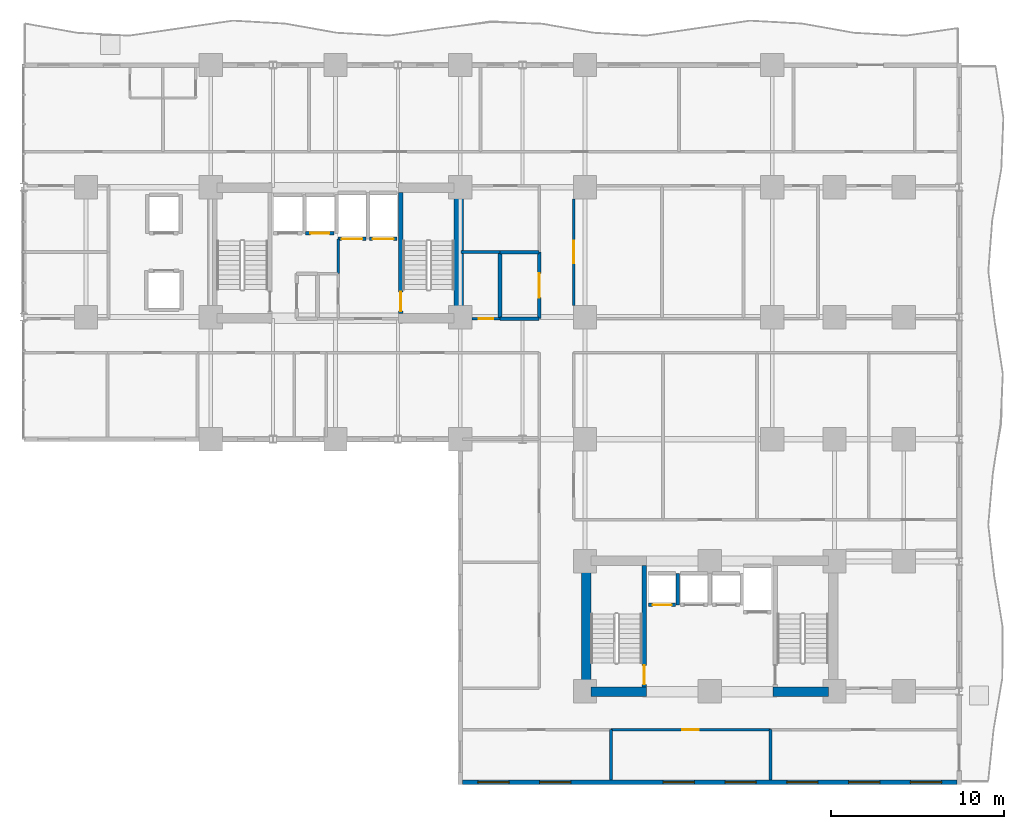
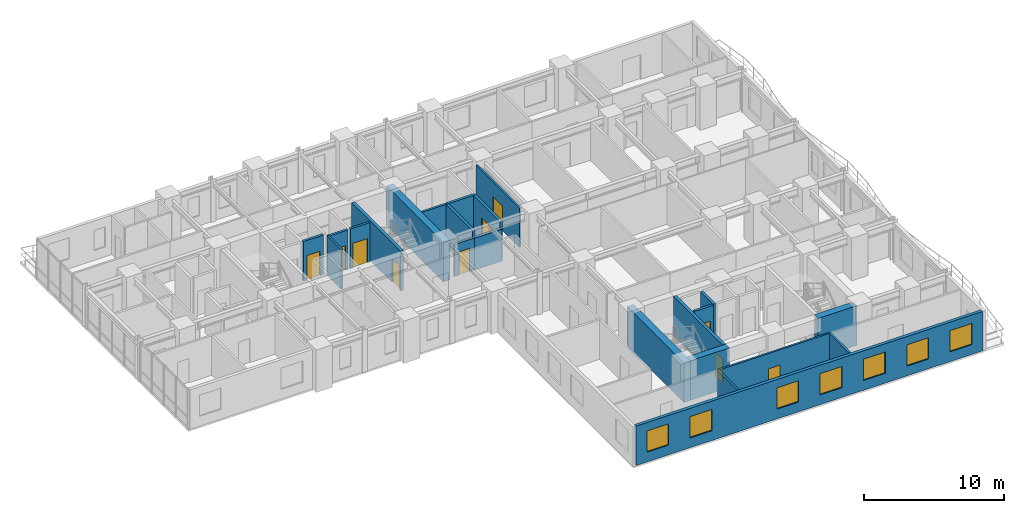
# One storey, part 12 of 19: 23 walls, 10 doors, 7 windows, 17 openings.
"""IFC4 building model written with IfcOpenShell, lengths in metres."""

from ifc_helpers import new_model, si_unit, direction, frame, frame_2d, origin, place, context, subcontext, project, spatial, rectangle, extrude, material, layer, layer_set, type_object, element, fill, save


model = new_model("IFC4")

# Units and contexts
model_context = context("Model", 3, precision=1e-05, world=origin(), true_north=direction((0.0, 1.0)))
body_context = subcontext(model_context, "Body", "Model", "MODEL_VIEW")
ifc_project = project(units=[si_unit("LENGTHUNIT", "METRE"), si_unit("AREAUNIT", "SQUARE_METRE"), si_unit("VOLUMEUNIT", "CUBIC_METRE"), si_unit("PLANEANGLEUNIT", "RADIAN"), si_unit("MASSUNIT", "GRAM", prefix="KILO")], contexts=[model_context])

# Site, building, storey
site_placement = place(None, origin())
site = spatial("IfcSite", under=ifc_project, at=site_placement, CompositionType="ELEMENT")
building_placement = place(site_placement, origin())
building = spatial("IfcBuilding", under=site, at=building_placement, Name="Kaliganga Portal Commons", CompositionType="ELEMENT")
storey_placement = place(building_placement, frame((0.0, 0.0, 47.5)))
storey = spatial("IfcBuildingStorey", under=building, at=storey_placement, Name="L11", CompositionType="ELEMENT", Elevation=47.5)

# Walls
ifc_material_1 = material(Name="Concrete C60/75", Category="concrete")
ifc_layer_1 = layer(ifc_material_1, 0.550048828125)
ifc_layer_set_1 = layer_set([ifc_layer_1], Name="Concrete C60/75")
wall_type_1 = type_object("IfcWallType", Name="WL-CORE-550", PredefinedType="SHEAR", material=ifc_layer_set_1)
wall_1_placement = place(storey_placement, frame((28.72509765625, 28.300048828125, 0.0), z_axis=(0.0, 0.0, 1.0), x_axis=(0.0, 1.0, 0.0)))
element("IfcWall", 1, at=wall_1_placement, inside=storey, type_object=wall_type_1, Name="Core A East Shear Wall L11", PredefinedType="SHEAR", context=body_context, shape_type="SweptSolid", body=[
    extrude(rectangle(XDim=8.099853515625, YDim=0.550048828125, at=frame_2d((4.0498046875, 0.0))), origin(), (0.0, 0.0, 1.0), 3.449951171875),
])
wall_2_placement = place(storey_placement, frame((36.074951171875, 6.75, 0.0), z_axis=(0.0, 0.0, 1.0), x_axis=(0.0, 1.0, 0.0)))
element("IfcWall", 2, at=wall_2_placement, inside=storey, type_object=wall_type_1, Name="Core B West Shear Wall L11", PredefinedType="SHEAR", context=body_context, shape_type="SweptSolid", body=[
    extrude(rectangle(XDim=8.10009765625, YDim=0.550048828125, at=frame_2d((4.050048828125, 0.0))), origin(), (0.0, 0.0, 1.0), 3.449951171875),
])
for number, where, z_axis, x_axis, name in (
    (3, (36.35009765625, 7.02490234375, 0.0), (0.0, 0.0, 1.0), (1.0, 0.0, 0.0), "Core B S-West Shear Wall L11"),
    (4, (46.85009765625, 7.02490234375, 0.0), (0.0, 0.0, 1.0), (1.0, 0.0, 0.0), "Core B S-East Shear Wall L11"),
):
    element("IfcWall", number, at=place(storey_placement, frame(where, z_axis=z_axis, x_axis=x_axis)), inside=storey, type_object=wall_type_1, Name=name, PredefinedType="SHEAR", context=body_context, shape_type="SweptSolid", body=[
        extrude(rectangle(XDim=3.199951171875, YDim=0.550048828125, at=frame_2d((1.60009765625, 0.0))), origin(), (0.0, 0.0, 1.0), 3.449951171875),
    ])

# Wall, openings, windows
ifc_material_2 = material(Name="Insulated Aluminium-Clad Spandrel Assembly", Category="aluminium")
ifc_layer_2 = layer(ifc_material_2, 0.260009765625)
ifc_layer_set_2 = layer_set([ifc_layer_2], Name="Insulated Aluminium-Clad Spandrel Assembly")
wall_type_2 = type_object("IfcWallType", Name="WL-EXT-SPAND-260", PredefinedType="STANDARD", material=ifc_layer_set_2)
wall_3_placement = place(storey_placement, frame((57.465087890625, 1.800048828125, 0.0), z_axis=(0.0, 0.0, 1.0), x_axis=(-1.0, 0.0, 0.0)))
wall_3 = element("IfcWall", 5, at=wall_3_placement, inside=storey, type_object=wall_type_2, Name="Exterior Envelope Wall L11 P1-E00-S1", PredefinedType="STANDARD", context=body_context, shape_type="SweptSolid", body=[
    extrude(rectangle(XDim=28.530029296875, YDim=0.260009765625, at=frame_2d((14.26513671875, 0.0))), origin(), (0.0, 0.0, 1.0), 3.429931640625),
])
opening_1_placement = place(wall_3_placement, frame((0.883056640625, 0.0, 0.85009765625)))
opening_1 = element("IfcOpeningElement", 6, at=opening_1_placement, cuts=wall_3, Name="Opening W-01", PredefinedType="OPENING", context=body_context, shape_type="SweptSolid", body=[
    extrude(rectangle(XDim=1.800048828125, YDim=1.85009765625, at=frame_2d((0.89990234375, 0.925048828125))), frame((0.0, 0.14013671875, 0.0), z_axis=(0.0, -1.0, 0.0), x_axis=(1.0, 0.0, 0.0)), (0.0, 0.0, 1.0), 0.280029296875),
])
opening_2_placement = place(wall_3_placement, frame((4.449462890625, 0.0, 0.85009765625)))
opening_2 = element("IfcOpeningElement", 7, at=opening_2_placement, cuts=wall_3, Name="Opening W-01", PredefinedType="OPENING", context=body_context, shape_type="SweptSolid", body=[
    extrude(rectangle(XDim=1.800048828125, YDim=1.85009765625, at=frame_2d((0.89990234375, 0.925048828125))), frame((0.0, 0.14013671875, 0.0), z_axis=(0.0, -1.0, 0.0), x_axis=(1.0, 0.0, 0.0)), (0.0, 0.0, 1.0), 0.280029296875),
])
opening_3_placement = place(wall_3_placement, frame((8.015625, 0.0, 0.85009765625)))
opening_3 = element("IfcOpeningElement", 8, at=opening_3_placement, cuts=wall_3, Name="Opening W-01", PredefinedType="OPENING", context=body_context, shape_type="SweptSolid", body=[
    extrude(rectangle(XDim=1.800048828125, YDim=1.85009765625, at=frame_2d((0.89990234375, 0.925048828125))), frame((0.0, 0.14013671875, 0.0), z_axis=(0.0, -1.0, 0.0), x_axis=(1.0, 0.0, 0.0)), (0.0, 0.0, 1.0), 0.280029296875),
])
opening_4_placement = place(wall_3_placement, frame((11.581787109375, 0.0, 0.85009765625)))
opening_4 = element("IfcOpeningElement", 9, at=opening_4_placement, cuts=wall_3, Name="Opening W-01", PredefinedType="OPENING", context=body_context, shape_type="SweptSolid", body=[
    extrude(rectangle(XDim=1.800048828125, YDim=1.85009765625, at=frame_2d((0.89990234375, 0.925048828125))), frame((0.0, 0.14013671875, 0.0), z_axis=(0.0, -1.0, 0.0), x_axis=(1.0, 0.0, 0.0)), (0.0, 0.0, 1.0), 0.280029296875),
])
opening_5_placement = place(wall_3_placement, frame((15.148193359375, 0.0, 0.85009765625)))
opening_5 = element("IfcOpeningElement", 10, at=opening_5_placement, cuts=wall_3, Name="Opening W-01", PredefinedType="OPENING", context=body_context, shape_type="SweptSolid", body=[
    extrude(rectangle(XDim=1.800048828125, YDim=1.85009765625, at=frame_2d((0.89990234375, 0.925048828125))), frame((0.0, 0.14013671875, 0.0), z_axis=(0.0, -1.0, 0.0), x_axis=(1.0, 0.0, 0.0)), (0.0, 0.0, 1.0), 0.280029296875),
])
opening_6_placement = place(wall_3_placement, frame((22.280517578125, 0.0, 0.85009765625)))
opening_6 = element("IfcOpeningElement", 11, at=opening_6_placement, cuts=wall_3, Name="Opening W-01", PredefinedType="OPENING", context=body_context, shape_type="SweptSolid", body=[
    extrude(rectangle(XDim=1.800048828125, YDim=1.85009765625, at=frame_2d((0.89990234375, 0.925048828125))), frame((0.0, 0.14013671875, 0.0), z_axis=(0.0, -1.0, 0.0), x_axis=(1.0, 0.0, 0.0)), (0.0, 0.0, 1.0), 0.280029296875),
])
opening_7_placement = place(wall_3_placement, frame((25.846923828125, 0.0, 0.85009765625)))
opening_7 = element("IfcOpeningElement", 12, at=opening_7_placement, cuts=wall_3, Name="Opening W-01", PredefinedType="OPENING", context=body_context, shape_type="SweptSolid", body=[
    extrude(rectangle(XDim=1.800048828125, YDim=1.85009765625, at=frame_2d((0.89990234375, 0.925048828125))), frame((0.0, 0.14013671875, 0.0), z_axis=(0.0, -1.0, 0.0), x_axis=(1.0, 0.0, 0.0)), (0.0, 0.0, 1.0), 0.280029296875),
])
ifc_material_3 = material(Name="Thermally Broken Aluminium and Low-E Double Glazing", Category="aluminium")
window_type = type_object("IfcWindowType", Name="WIN-STD-1800", PartitioningType="DOUBLE_PANEL_VERTICAL", PredefinedType="WINDOW", material=ifc_material_3)
window_1_placement = place(opening_1_placement, origin())
window_1 = element("IfcWindow", 13, at=window_1_placement, inside=storey, type_object=window_type, Name="Facade Window L11-P1E00S1-00", OverallHeight=1.85009765625, OverallWidth=1.800048828125, PartitioningType="SINGLE_PANEL", PredefinedType="WINDOW", context=body_context, shape_type="SweptSolid", body=[
    extrude(rectangle(XDim=1.800048828125, YDim=1.85009765625, at=frame_2d((0.89990234375, 0.925048828125))), frame((0.0, 0.030029296875, 0.0), z_axis=(0.0, -1.0, 0.0), x_axis=(1.0, 0.0, 0.0)), (0.0, 0.0, 1.0), 0.06005859375),
])
fill(opening_1, window_1)
window_2_placement = place(opening_2_placement, origin())
window_2 = element("IfcWindow", 14, at=window_2_placement, inside=storey, type_object=window_type, Name="Facade Window L11-P1E00S1-01", OverallHeight=1.85009765625, OverallWidth=1.800048828125, PartitioningType="SINGLE_PANEL", PredefinedType="WINDOW", context=body_context, shape_type="SweptSolid", body=[
    extrude(rectangle(XDim=1.800048828125, YDim=1.85009765625, at=frame_2d((0.89990234375, 0.925048828125))), frame((0.0, 0.030029296875, 0.0), z_axis=(0.0, -1.0, 0.0), x_axis=(1.0, 0.0, 0.0)), (0.0, 0.0, 1.0), 0.06005859375),
])
fill(opening_2, window_2)
window_3_placement = place(opening_3_placement, origin())
window_3 = element("IfcWindow", 15, at=window_3_placement, inside=storey, type_object=window_type, Name="Facade Window L11-P1E00S1-02", OverallHeight=1.85009765625, OverallWidth=1.800048828125, PartitioningType="SINGLE_PANEL", PredefinedType="WINDOW", context=body_context, shape_type="SweptSolid", body=[
    extrude(rectangle(XDim=1.800048828125, YDim=1.85009765625, at=frame_2d((0.89990234375, 0.925048828125))), frame((0.0, 0.030029296875, 0.0), z_axis=(0.0, -1.0, 0.0), x_axis=(1.0, 0.0, 0.0)), (0.0, 0.0, 1.0), 0.06005859375),
])
fill(opening_3, window_3)
window_4_placement = place(opening_4_placement, origin())
window_4 = element("IfcWindow", 16, at=window_4_placement, inside=storey, type_object=window_type, Name="Facade Window L11-P1E00S1-03", OverallHeight=1.85009765625, OverallWidth=1.800048828125, PartitioningType="SINGLE_PANEL", PredefinedType="WINDOW", context=body_context, shape_type="SweptSolid", body=[
    extrude(rectangle(XDim=1.800048828125, YDim=1.85009765625, at=frame_2d((0.89990234375, 0.925048828125))), frame((0.0, 0.030029296875, 0.0), z_axis=(0.0, -1.0, 0.0), x_axis=(1.0, 0.0, 0.0)), (0.0, 0.0, 1.0), 0.06005859375),
])
fill(opening_4, window_4)
window_5_placement = place(opening_5_placement, origin())
window_5 = element("IfcWindow", 17, at=window_5_placement, inside=storey, type_object=window_type, Name="Facade Window L11-P1E00S1-04", OverallHeight=1.85009765625, OverallWidth=1.800048828125, PartitioningType="SINGLE_PANEL", PredefinedType="WINDOW", context=body_context, shape_type="SweptSolid", body=[
    extrude(rectangle(XDim=1.800048828125, YDim=1.85009765625, at=frame_2d((0.89990234375, 0.925048828125))), frame((0.0, 0.030029296875, 0.0), z_axis=(0.0, -1.0, 0.0), x_axis=(1.0, 0.0, 0.0)), (0.0, 0.0, 1.0), 0.06005859375),
])
fill(opening_5, window_5)
window_6_placement = place(opening_6_placement, origin())
window_6 = element("IfcWindow", 18, at=window_6_placement, inside=storey, type_object=window_type, Name="Facade Window L11-P1E00S1-06", OverallHeight=1.85009765625, OverallWidth=1.800048828125, PartitioningType="SINGLE_PANEL", PredefinedType="WINDOW", context=body_context, shape_type="SweptSolid", body=[
    extrude(rectangle(XDim=1.800048828125, YDim=1.85009765625, at=frame_2d((0.89990234375, 0.925048828125))), frame((0.0, 0.030029296875, 0.0), z_axis=(0.0, -1.0, 0.0), x_axis=(1.0, 0.0, 0.0)), (0.0, 0.0, 1.0), 0.06005859375),
])
fill(opening_6, window_6)
window_7_placement = place(opening_7_placement, origin())
window_7 = element("IfcWindow", 19, at=window_7_placement, inside=storey, type_object=window_type, Name="Facade Window L11-P1E00S1-07", OverallHeight=1.85009765625, OverallWidth=1.800048828125, PartitioningType="SINGLE_PANEL", PredefinedType="WINDOW", context=body_context, shape_type="SweptSolid", body=[
    extrude(rectangle(XDim=1.800048828125, YDim=1.85009765625, at=frame_2d((0.89990234375, 0.925048828125))), frame((0.0, 0.030029296875, 0.0), z_axis=(0.0, -1.0, 0.0), x_axis=(1.0, 0.0, 0.0)), (0.0, 0.0, 1.0), 0.06005859375),
])
fill(opening_7, window_7)

# Wall, opening, door
ifc_material_4 = material(Name="Fire-Rated Gypsum Board on Steel Stud", Category="steel")
ifc_layer_3 = layer(ifc_material_4, 0.14990234375)
ifc_layer_set_3 = layer_set([ifc_layer_3], Name="Fire-Rated Gypsum Board on Steel Stud")
wall_type_3 = type_object("IfcWallType", Name="WL-PART-CORR-150", PredefinedType="PARTITIONING", material=ifc_layer_set_3)
wall_4_placement = place(storey_placement, frame((37.5, 4.840087890625, 0.0), z_axis=(0.0, 0.0, 1.0), x_axis=(1.0, 0.0, 0.0)))
wall_4 = element("IfcWall", 20, at=wall_4_placement, inside=storey, type_object=wall_type_3, Name="Interior Partition L11-012", PredefinedType="PARTITIONING", context=body_context, shape_type="SweptSolid", body=[
    extrude(rectangle(XDim=9.199951171875, YDim=0.14990234375, at=frame_2d((4.60009765625, 0.0))), origin(), (0.0, 0.0, 1.0), 3.429931640625),
])
opening_8_placement = place(wall_4_placement, frame((4.125, 0.0, 0.0)))
opening_8 = element("IfcOpeningElement", 21, at=opening_8_placement, cuts=wall_4, Name="Opening UD-01", PredefinedType="OPENING", context=body_context, shape_type="SweptSolid", body=[
    extrude(rectangle(XDim=0.949951171875, YDim=2.10009765625, at=frame_2d((0.47509765625, 1.050048828125))), frame((0.0, 0.0849609375, 0.0), z_axis=(0.0, -1.0, 0.0), x_axis=(1.0, 0.0, 0.0)), (0.0, 0.0, 1.0), 0.169921875),
])
ifc_material_5 = material(Name="Solid-Core Timber Acoustic Fire Door", Category="wood")
door_type_1 = type_object("IfcDoorType", Name="DR-UNIT-950", OperationType="NOTDEFINED", PredefinedType="DOOR", material=ifc_material_5)
door_1_placement = place(opening_8_placement, origin())
door_1 = element("IfcDoor", 22, at=door_1_placement, inside=storey, type_object=door_type_1, Name="Interior Door L11-BS02", OperationType="SINGLE_SWING_RIGHT", OverallHeight=2.10009765625, OverallWidth=0.949951171875, PredefinedType="DOOR", context=body_context, shape_type="SweptSolid", body=[
    extrude(rectangle(XDim=0.949951171875, YDim=2.10009765625, at=frame_2d((0.47509765625, 1.050048828125))), frame((0.0, 0.02490234375, 0.0), z_axis=(0.0, -1.0, 0.0), x_axis=(1.0, 0.0, 0.0)), (0.0, 0.0, 1.0), 0.050048828125),
])
fill(opening_8, door_1)

wall_5_placement = place(storey_placement, frame((35.360107421875, 29.324951171875, 0.0), z_axis=(0.0, 0.0, 1.0), x_axis=(0.0, 1.0, 0.0)))
wall_5 = element("IfcWall", 23, at=wall_5_placement, inside=storey, type_object=wall_type_3, Name="Interior Partition L11-018", PredefinedType="PARTITIONING", context=body_context, shape_type="SweptSolid", body=[
    extrude(rectangle(XDim=6.150146484375, YDim=0.14990234375, at=frame_2d((3.0751953125, 0.0))), origin(), (0.0, 0.0, 1.0), 3.429931640625),
])
opening_9_placement = place(wall_5_placement, frame((2.425048828125, 0.0, 0.0)))
opening_9 = element("IfcOpeningElement", 24, at=opening_9_placement, cuts=wall_5, Name="Opening RD-03", PredefinedType="OPENING", context=body_context, shape_type="SweptSolid", body=[
    extrude(rectangle(XDim=1.300048828125, YDim=2.1201171875, at=frame_2d((0.64990234375, 1.06005859375))), frame((0.0, 0.0849609375, 0.0), z_axis=(0.0, -1.0, 0.0), x_axis=(1.0, 0.0, 0.0)), (0.0, 0.0, 1.0), 0.169921875),
])
ifc_material_6 = material(Name="Glazed Timber Seminar Vision Door", Category="wood")
door_type_2 = type_object("IfcDoorType", Name="DR-STUDY-1300", OperationType="DOUBLE_DOOR_SINGLE_SWING", PredefinedType="DOOR", material=ifc_material_6)
door_2_placement = place(opening_9_placement, origin())
door_2 = element("IfcDoor", 25, at=door_2_placement, inside=storey, type_object=door_type_2, Name="Interior Door L11-BK01", OperationType="DOUBLE_DOOR_SINGLE_SWING", OverallHeight=2.1201171875, OverallWidth=1.300048828125, PredefinedType="DOOR", context=body_context, shape_type="SweptSolid", body=[
    extrude(rectangle(XDim=1.300048828125, YDim=2.1201171875, at=frame_2d((0.64990234375, 1.06005859375))), frame((0.0, 0.02490234375, 0.0), z_axis=(0.0, -1.0, 0.0), x_axis=(1.0, 0.0, 0.0)), (0.0, 0.0, 1.0), 0.050048828125),
])
fill(opening_9, door_2)

wall_6_placement = place(storey_placement, frame((29.47509765625, 28.56005859375, 0.0), z_axis=(0.0, 0.0, 1.0), x_axis=(1.0, 0.0, 0.0)))
wall_6 = element("IfcWall", 26, at=wall_6_placement, inside=storey, type_object=wall_type_3, Name="Interior Partition L11-052", PredefinedType="PARTITIONING", context=body_context, shape_type="SweptSolid", body=[
    extrude(rectangle(XDim=1.625, YDim=0.14990234375, at=frame_2d((0.8125, 0.0))), origin(), (0.0, 0.0, 1.0), 2.780029296875),
])
opening_10_placement = place(wall_6_placement, frame((0.382568359375, 0.0, 0.0)))
opening_10 = element("IfcOpeningElement", 27, at=opening_10_placement, cuts=wall_6, Name="Opening WD-02", PredefinedType="OPENING", context=body_context, shape_type="SweptSolid", body=[
    extrude(rectangle(XDim=0.860107421875, YDim=2.02001953125, at=frame_2d((0.43017578125, 1.010009765625))), frame((0.0, 0.0849609375, 0.0), z_axis=(0.0, -1.0, 0.0), x_axis=(1.0, 0.0, 0.0)), (0.0, 0.0, 1.0), 0.169921875),
])
ifc_material_7 = material(Name="Fire-Rated Utility Closet Door", Category="wood")
door_type_3 = type_object("IfcDoorType", Name="DR-STORE-800", OperationType="NOTDEFINED", PredefinedType="DOOR", material=ifc_material_7)
door_3_placement = place(opening_10_placement, origin())
door_3 = element("IfcDoor", 28, at=door_3_placement, inside=storey, type_object=door_type_3, Name="Interior Door L11-CSRV_A1", OperationType="SINGLE_SWING_LEFT", OverallHeight=2.02001953125, OverallWidth=0.860107421875, PredefinedType="DOOR", context=body_context, shape_type="SweptSolid", body=[
    extrude(rectangle(XDim=0.860107421875, YDim=2.02001953125, at=frame_2d((0.43017578125, 1.010009765625))), frame((0.0, 0.02490234375, 0.0), z_axis=(0.0, -1.0, 0.0), x_axis=(1.0, 0.0, 0.0)), (0.0, 0.0, 1.0), 0.050048828125),
])
fill(opening_10, door_3)

# Wall
wall_7_placement = place(storey_placement, frame((21.760009765625, 31.159912109375, 0.0), z_axis=(0.0, 0.0, 1.0), x_axis=(0.0, 1.0, 0.0)))
element("IfcWall", 29, at=wall_7_placement, inside=storey, type_object=wall_type_3, Name="Interior Partition L11-095", PredefinedType="PARTITIONING", context=body_context, shape_type="SweptSolid", body=[
    extrude(rectangle(XDim=2.0, YDim=0.14990234375, at=frame_2d((1.0, 0.0))), origin(), (0.0, 0.0, 1.0), 3.429931640625),
])

# Wall, opening, door
ifc_material_8 = material(Name="Lightweight blockwork masonry", Category="masonry")
ifc_layer_4 = layer(ifc_material_8, 0.215087890625)
ifc_layer_set_4 = layer_set([ifc_layer_4], Name="Lightweight blockwork masonry")
wall_type_4 = type_object("IfcWallType", Name="WL-PART-PLANT-215", PredefinedType="PARTITIONING", material=ifc_layer_set_4)
wall_8_placement = place(storey_placement, frame((33.360107421875, 28.56005859375, 0.0), z_axis=(0.0, 0.0, 1.0), x_axis=(0.0, 1.0, 0.0)))
wall_8 = element("IfcWall", 30, at=wall_8_placement, inside=storey, type_object=wall_type_4, Name="Interior Partition L11-048", PredefinedType="PARTITIONING", context=body_context, shape_type="SweptSolid", body=[
    extrude(rectangle(XDim=3.83984375, YDim=0.215087890625, at=frame_2d((1.919921875, 0.0))), origin(), (0.0, 0.0, 1.0), 3.429931640625),
])
opening_11_placement = place(wall_8_placement, frame((1.219970703125, 0.0, 0.0)))
opening_11 = element("IfcOpeningElement", 31, at=opening_11_placement, cuts=wall_8, Name="Opening PD-01", PredefinedType="OPENING", context=body_context, shape_type="SweptSolid", body=[
    extrude(rectangle(XDim=1.39990234375, YDim=2.14990234375, at=frame_2d((0.699951171875, 1.074951171875))), frame((0.0, 0.11767578125, 0.0), z_axis=(0.0, -1.0, 0.0), x_axis=(1.0, 0.0, 0.0)), (0.0, 0.0, 1.0), 0.235107421875),
])
ifc_material_9 = material(Name="Heavy-Duty Steel Acoustic Louvre Fire Door", Category="steel")
door_type_4 = type_object("IfcDoorType", Name="DR-PLANT-1400", OperationType="DOUBLE_DOOR_SINGLE_SWING", PredefinedType="DOOR", material=ifc_material_9)
door_4_placement = place(opening_11_placement, origin())
door_4 = element("IfcDoor", 32, at=door_4_placement, inside=storey, type_object=door_type_4, Name="Interior Door L11-CSRV_A3", OperationType="DOUBLE_DOOR_SINGLE_SWING", OverallHeight=2.14990234375, OverallWidth=1.39990234375, PredefinedType="DOOR", context=body_context, shape_type="SweptSolid", body=[
    extrude(rectangle(XDim=1.39990234375, YDim=2.14990234375, at=frame_2d((0.699951171875, 1.074951171875))), frame((0.0, 0.02490234375, 0.0), z_axis=(0.0, -1.0, 0.0), x_axis=(1.0, 0.0, 0.0)), (0.0, 0.0, 1.0), 0.050048828125),
])
fill(opening_11, door_4)

# Walls
wall_9_placement = place(storey_placement, frame((31.10009765625, 28.56005859375, 0.0), z_axis=(0.0, 0.0, 1.0), x_axis=(1.0, 0.0, 0.0)))
element("IfcWall", 33, at=wall_9_placement, inside=storey, type_object=wall_type_4, Name="Interior Partition L11-053", PredefinedType="PARTITIONING", context=body_context, shape_type="SweptSolid", body=[
    extrude(rectangle(XDim=2.260009765625, YDim=0.215087890625, at=frame_2d((1.1298828125, 0.0))), origin(), (0.0, 0.0, 1.0), 2.780029296875),
])
wall_10_placement = place(storey_placement, frame((31.10009765625, 28.56005859375, 0.0), z_axis=(0.0, 0.0, 1.0), x_axis=(0.0, 1.0, 0.0)))
element("IfcWall", 34, at=wall_10_placement, inside=storey, type_object=wall_type_4, Name="Interior Partition L11-087", PredefinedType="PARTITIONING", context=body_context, shape_type="SweptSolid", body=[
    extrude(rectangle(XDim=3.83984375, YDim=0.215087890625, at=frame_2d((1.919921875, 0.0))), origin(), (0.0, 0.0, 1.0), 3.429931640625),
])
wall_11_placement = place(storey_placement, frame((31.10009765625, 32.39990234375, 0.0), z_axis=(0.0, 0.0, 1.0), x_axis=(1.0, 0.0, 0.0)))
element("IfcWall", 35, at=wall_11_placement, inside=storey, type_object=wall_type_4, Name="Interior Partition L11-094", PredefinedType="PARTITIONING", context=body_context, shape_type="SweptSolid", body=[
    extrude(rectangle(XDim=2.260009765625, YDim=0.215087890625, at=frame_2d((1.1298828125, 0.0))), origin(), (0.0, 0.0, 1.0), 3.429931640625),
])
ifc_material_10 = material(Name="Twin-Stud Acoustic Gypsum Partition", Category="gypsum")
ifc_layer_5 = layer(ifc_material_10, 0.1650390625)
ifc_layer_set_5 = layer_set([ifc_layer_5], Name="Twin-Stud Acoustic Gypsum Partition")
wall_type_5 = type_object("IfcWallType", Name="WL-PART-UNIT-165", PredefinedType="PARTITIONING", material=ifc_layer_set_5)
for number, where, z_axis, x_axis, name in (
    (36, (37.5, 1.931884765625, 0.0), (0.0, 0.0, 1.0), (0.0, 1.0, 0.0), "Interior Partition L11-090"),
    (37, (46.699951171875, 1.931884765625, 0.0), (0.0, 0.0, 1.0), (0.0, 1.0, 0.0), "Interior Partition L11-091"),
):
    element("IfcWall", number, at=place(storey_placement, frame(where, z_axis=z_axis, x_axis=x_axis)), inside=storey, type_object=wall_type_5, Name=name, PredefinedType="PARTITIONING", context=body_context, shape_type="SweptSolid", body=[
        extrude(rectangle(XDim=2.908203125, YDim=0.1650390625, at=frame_2d((1.4541015625, 0.0))), origin(), (0.0, 0.0, 1.0), 3.429931640625),
    ])
wall_12_placement = place(storey_placement, frame((28.840087890625, 32.39990234375, 0.0), z_axis=(0.0, 0.0, 1.0), x_axis=(1.0, 0.0, 0.0)))
element("IfcWall", 38, at=wall_12_placement, inside=storey, type_object=wall_type_5, Name="Interior Partition L11-093", PredefinedType="PARTITIONING", context=body_context, shape_type="SweptSolid", body=[
    extrude(rectangle(XDim=2.260009765625, YDim=0.1650390625, at=frame_2d((1.1298828125, 0.0))), origin(), (0.0, 0.0, 1.0), 3.429931640625),
])

# Wall, opening, door
ifc_material_11 = material(Name="Fire-Rated Shaftwall Masonry Assembly", Category="masonry")
ifc_layer_6 = layer(ifc_material_11, 0.199951171875)
ifc_layer_set_6 = layer_set([ifc_layer_6], Name="Fire-Rated Shaftwall Masonry Assembly")
wall_type_6 = type_object("IfcWallType", Name="WL-SHAFT-200", PredefinedType="PARTITIONING", material=ifc_layer_set_6)
wall_13_placement = place(storey_placement, frame((19.875, 33.485107421875, 0.0), z_axis=(0.0, 0.0, 1.0), x_axis=(1.0, 0.0, 0.0)))
wall_13 = element("IfcWall", 39, at=wall_13_placement, inside=storey, type_object=wall_type_6, Name="Lift PL-A2 Hoistway Shaft Wall L11-S", PredefinedType="PARTITIONING", context=body_context, shape_type="SweptSolid", body=[
    extrude(rectangle(XDim=1.64990234375, YDim=0.199951171875, at=frame_2d((0.824951171875, 0.0))), origin(), (0.0, 0.0, 1.0), 3.429931640625),
])
opening_12_placement = place(wall_13_placement, frame((0.27490234375, 0.0, 0.0)))
opening_12 = element("IfcOpeningElement", 40, at=opening_12_placement, cuts=wall_13, Name="Opening LD-01", PredefinedType="OPENING", context=body_context, shape_type="SweptSolid", body=[
    extrude(rectangle(XDim=1.10009765625, YDim=2.1201171875, at=frame_2d((0.550048828125, 1.06005859375))), frame((0.0, 0.10986328125, 0.0), z_axis=(0.0, -1.0, 0.0), x_axis=(1.0, 0.0, 0.0)), (0.0, 0.0, 1.0), 0.219970703125),
])
ifc_material_12 = material(Name="Brushed Stainless Steel 316 Lift Landing Door", Category="steel")
door_type_5 = type_object("IfcDoorType", Name="DR-LIFT-1100", OperationType="SLIDING_TO_LEFT", PredefinedType="DOOR", material=ifc_material_12)
door_5_placement = place(opening_12_placement, origin())
door_5 = element("IfcDoor", 41, at=door_5_placement, inside=storey, type_object=door_type_5, Name="Lift PL-A2 Sliding Landing Door L11", OperationType="SLIDING_TO_LEFT", OverallHeight=2.1201171875, OverallWidth=1.10009765625, PredefinedType="DOOR", context=body_context, shape_type="SweptSolid", body=[
    extrude(rectangle(XDim=1.10009765625, YDim=2.1201171875, at=frame_2d((0.550048828125, 1.06005859375))), frame((0.0, 0.02490234375, 0.0), z_axis=(0.0, -1.0, 0.0), x_axis=(1.0, 0.0, 0.0)), (0.0, 0.0, 1.0), 0.050048828125),
])
fill(opening_12, door_5)

wall_14_placement = place(storey_placement, frame((21.75, 33.159912109375, 0.0), z_axis=(0.0, 0.0, 1.0), x_axis=(1.0, 0.0, 0.0)))
wall_14 = element("IfcWall", 42, at=wall_14_placement, inside=storey, type_object=wall_type_6, Name="Lift FFL-1 Hoistway Shaft Wall L11-S", PredefinedType="PARTITIONING", context=body_context, shape_type="SweptSolid", body=[
    extrude(rectangle(XDim=1.60009765625, YDim=0.199951171875, at=frame_2d((0.800048828125, 0.0))), origin(), (0.0, 0.0, 1.0), 3.429931640625),
])
opening_13_placement = place(wall_14_placement, frame((0.199951171875, 0.0, 0.0)))
opening_13 = element("IfcOpeningElement", 43, at=opening_13_placement, cuts=wall_14, Name="Opening LD-02", PredefinedType="OPENING", context=body_context, shape_type="SweptSolid", body=[
    extrude(rectangle(XDim=1.199951171875, YDim=2.1201171875, at=frame_2d((0.60009765625, 1.06005859375))), frame((0.0, 0.10986328125, 0.0), z_axis=(0.0, -1.0, 0.0), x_axis=(1.0, 0.0, 0.0)), (0.0, 0.0, 1.0), 0.219970703125),
])
ifc_material_13 = material(Name="Brushed Stainless Steel 316 Stretcher Lift Landing Door", Category="steel")
door_type_6 = type_object("IfcDoorType", Name="DR-LIFT-1200", OperationType="SLIDING_TO_RIGHT", PredefinedType="DOOR", material=ifc_material_13)
door_6_placement = place(opening_13_placement, origin())
door_6 = element("IfcDoor", 44, at=door_6_placement, inside=storey, type_object=door_type_6, Name="Lift FFL-1 Sliding Landing Door L11", OperationType="SLIDING_TO_RIGHT", OverallHeight=2.1201171875, OverallWidth=1.199951171875, PredefinedType="DOOR", context=body_context, shape_type="SweptSolid", body=[
    extrude(rectangle(XDim=1.199951171875, YDim=2.1201171875, at=frame_2d((0.60009765625, 1.06005859375))), frame((0.0, 0.02490234375, 0.0), z_axis=(0.0, -1.0, 0.0), x_axis=(1.0, 0.0, 0.0)), (0.0, 0.0, 1.0), 0.050048828125),
])
fill(opening_13, door_6)

wall_15_placement = place(storey_placement, frame((23.550048828125, 33.159912109375, 0.0), z_axis=(0.0, 0.0, 1.0), x_axis=(1.0, 0.0, 0.0)))
wall_15 = element("IfcWall", 45, at=wall_15_placement, inside=storey, type_object=wall_type_6, Name="Lift FFL-2 Hoistway Shaft Wall L11-S", PredefinedType="PARTITIONING", context=body_context, shape_type="SweptSolid", body=[
    extrude(rectangle(XDim=1.599853515625, YDim=0.199951171875, at=frame_2d((0.7998046875, 0.0))), origin(), (0.0, 0.0, 1.0), 3.429931640625),
])
opening_14_placement = place(wall_15_placement, frame((0.199951171875, 0.0, 0.0)))
opening_14 = element("IfcOpeningElement", 46, at=opening_14_placement, cuts=wall_15, Name="Opening LD-02", PredefinedType="OPENING", context=body_context, shape_type="SweptSolid", body=[
    extrude(rectangle(XDim=1.199951171875, YDim=2.1201171875, at=frame_2d((0.60009765625, 1.06005859375))), frame((0.0, 0.10986328125, 0.0), z_axis=(0.0, -1.0, 0.0), x_axis=(1.0, 0.0, 0.0)), (0.0, 0.0, 1.0), 0.219970703125),
])
door_7_placement = place(opening_14_placement, origin())
door_7 = element("IfcDoor", 47, at=door_7_placement, inside=storey, type_object=door_type_6, Name="Lift FFL-2 Sliding Landing Door L11", OperationType="SLIDING_TO_RIGHT", OverallHeight=2.1201171875, OverallWidth=1.199951171875, PredefinedType="DOOR", context=body_context, shape_type="SweptSolid", body=[
    extrude(rectangle(XDim=1.199951171875, YDim=2.1201171875, at=frame_2d((0.60009765625, 1.06005859375))), frame((0.0, 0.02490234375, 0.0), z_axis=(0.0, -1.0, 0.0), x_axis=(1.0, 0.0, 0.0)), (0.0, 0.0, 1.0), 0.050048828125),
])
fill(opening_14, door_7)

wall_16_placement = place(storey_placement, frame((39.675048828125, 12.034912109375, 0.0), z_axis=(0.0, 0.0, 1.0), x_axis=(1.0, 0.0, 0.0)))
wall_16 = element("IfcWall", 48, at=wall_16_placement, inside=storey, type_object=wall_type_6, Name="Lift PL-B1 Hoistway Shaft Wall L11-S", PredefinedType="PARTITIONING", context=body_context, shape_type="SweptSolid", body=[
    extrude(rectangle(XDim=1.550048828125, YDim=0.199951171875, at=frame_2d((0.77490234375, 0.0))), origin(), (0.0, 0.0, 1.0), 3.429931640625),
])
opening_15_placement = place(wall_16_placement, frame((0.22509765625, 0.0, 0.0)))
opening_15 = element("IfcOpeningElement", 49, at=opening_15_placement, cuts=wall_16, Name="Opening LD-01", PredefinedType="OPENING", context=body_context, shape_type="SweptSolid", body=[
    extrude(rectangle(XDim=1.10009765625, YDim=2.1201171875, at=frame_2d((0.550048828125, 1.06005859375))), frame((0.0, 0.10986328125, 0.0), z_axis=(0.0, -1.0, 0.0), x_axis=(1.0, 0.0, 0.0)), (0.0, 0.0, 1.0), 0.219970703125),
])
door_8_placement = place(opening_15_placement, origin())
door_8 = element("IfcDoor", 50, at=door_8_placement, inside=storey, type_object=door_type_5, Name="Lift PL-B1 Sliding Landing Door L11", OperationType="SLIDING_TO_LEFT", OverallHeight=2.1201171875, OverallWidth=1.10009765625, PredefinedType="DOOR", context=body_context, shape_type="SweptSolid", body=[
    extrude(rectangle(XDim=1.10009765625, YDim=2.1201171875, at=frame_2d((0.550048828125, 1.06005859375))), frame((0.0, 0.02490234375, 0.0), z_axis=(0.0, -1.0, 0.0), x_axis=(1.0, 0.0, 0.0)), (0.0, 0.0, 1.0), 0.050048828125),
])
fill(opening_15, door_8)

# Wall
wall_17_placement = place(storey_placement, frame((41.364990234375, 12.034912109375, 0.0), z_axis=(0.0, 0.0, 1.0), x_axis=(0.0, 1.0, 0.0)))
element("IfcWall", 51, at=wall_17_placement, inside=storey, type_object=wall_type_6, Name="Lift PL-B1 Hoistway Shaft Wall L11-E", PredefinedType="PARTITIONING", context=body_context, shape_type="SweptSolid", body=[
    extrude(rectangle(XDim=1.830078125, YDim=0.199951171875, at=frame_2d((0.9150390625, 0.0))), origin(), (0.0, 0.0, 1.0), 3.429931640625),
])

# Wall, opening, door
ifc_material_14 = material(Name="Concrete C50/60", Category="concrete")
ifc_layer_7 = layer(ifc_material_14, 0.25)
ifc_layer_set_7 = layer_set([ifc_layer_7], Name="Concrete C50/60")
wall_type_7 = type_object("IfcWallType", Name="WL-STAIR-250", PredefinedType="SHEAR", material=ifc_layer_set_7)
wall_18_placement = place(storey_placement, frame((25.375, 28.85009765625, 0.0), z_axis=(0.0, 0.0, 1.0), x_axis=(0.0, 1.0, 0.0)))
wall_18 = element("IfcWall", 52, at=wall_18_placement, inside=storey, type_object=wall_type_7, Name="Stair A2 Enclosure Shear Wall L11", PredefinedType="SHEAR", context=body_context, shape_type="SweptSolid", body=[
    extrude(rectangle(XDim=7.0, YDim=0.25, at=frame_2d((3.5, 0.0))), origin(), (0.0, 0.0, 1.0), 3.449951171875),
])
opening_16_placement = place(wall_18_placement, frame((0.14990234375, 0.0, 0.0)))
opening_16 = element("IfcOpeningElement", 53, at=opening_16_placement, cuts=wall_18, Name="Opening SD-01", PredefinedType="OPENING", context=body_context, shape_type="SweptSolid", body=[
    extrude(rectangle(XDim=1.10009765625, YDim=2.080078125, at=frame_2d((0.550048828125, 1.0400390625))), frame((0.0, 0.135009765625, 0.0), z_axis=(0.0, -1.0, 0.0), x_axis=(1.0, 0.0, 0.0)), (0.0, 0.0, 1.0), 0.27001953125),
])
ifc_material_15 = material(Name="Galvanized Steel Fire Door Leaf and Frame", Category="steel")
door_type_7 = type_object("IfcDoorType", Name="DR-STAIR-1100", OperationType="NOTDEFINED", PredefinedType="DOOR", material=ifc_material_15)
door_9_placement = place(opening_16_placement, origin())
door_9 = element("IfcDoor", 54, at=door_9_placement, inside=storey, type_object=door_type_7, Name="Protected Stair ST-A2 Fire Door L11", OperationType="SINGLE_SWING_RIGHT", OverallHeight=2.080078125, OverallWidth=1.10009765625, PredefinedType="DOOR", context=body_context, shape_type="SweptSolid", body=[
    extrude(rectangle(XDim=1.10009765625, YDim=2.080078125, at=frame_2d((0.550048828125, 1.0400390625))), frame((0.0, 0.02490234375, 0.0), z_axis=(0.0, -1.0, 0.0), x_axis=(1.0, 0.0, 0.0)), (0.0, 0.0, 1.0), 0.050048828125),
])
fill(opening_16, door_9)

wall_19_placement = place(storey_placement, frame((39.425048828125, 7.300048828125, 0.0), z_axis=(0.0, 0.0, 1.0), x_axis=(0.0, 1.0, 0.0)))
wall_19 = element("IfcWall", 55, at=wall_19_placement, inside=storey, type_object=wall_type_7, Name="Stair B1 Enclosure Shear Wall L11", PredefinedType="SHEAR", context=body_context, shape_type="SweptSolid", body=[
    extrude(rectangle(XDim=7.0, YDim=0.25, at=frame_2d((3.5, 0.0))), origin(), (0.0, 0.0, 1.0), 3.449951171875),
])
opening_17_placement = place(wall_19_placement, frame((0.14990234375, 0.0, 0.0)))
opening_17 = element("IfcOpeningElement", 56, at=opening_17_placement, cuts=wall_19, Name="Opening SD-01", PredefinedType="OPENING", context=body_context, shape_type="SweptSolid", body=[
    extrude(rectangle(XDim=1.10009765625, YDim=2.080078125, at=frame_2d((0.550048828125, 1.0400390625))), frame((0.0, 0.135009765625, 0.0), z_axis=(0.0, -1.0, 0.0), x_axis=(1.0, 0.0, 0.0)), (0.0, 0.0, 1.0), 0.27001953125),
])
door_10_placement = place(opening_17_placement, origin())
door_10 = element("IfcDoor", 57, at=door_10_placement, inside=storey, type_object=door_type_7, Name="Protected Stair ST-B1 Fire Door L11", OperationType="SINGLE_SWING_LEFT", OverallHeight=2.080078125, OverallWidth=1.10009765625, PredefinedType="DOOR", context=body_context, shape_type="SweptSolid", body=[
    extrude(rectangle(XDim=1.10009765625, YDim=2.080078125, at=frame_2d((0.550048828125, 1.0400390625))), frame((0.0, 0.02490234375, 0.0), z_axis=(0.0, -1.0, 0.0), x_axis=(1.0, 0.0, 0.0)), (0.0, 0.0, 1.0), 0.050048828125),
])
fill(opening_17, door_10)

save(model, "model.ifc")
